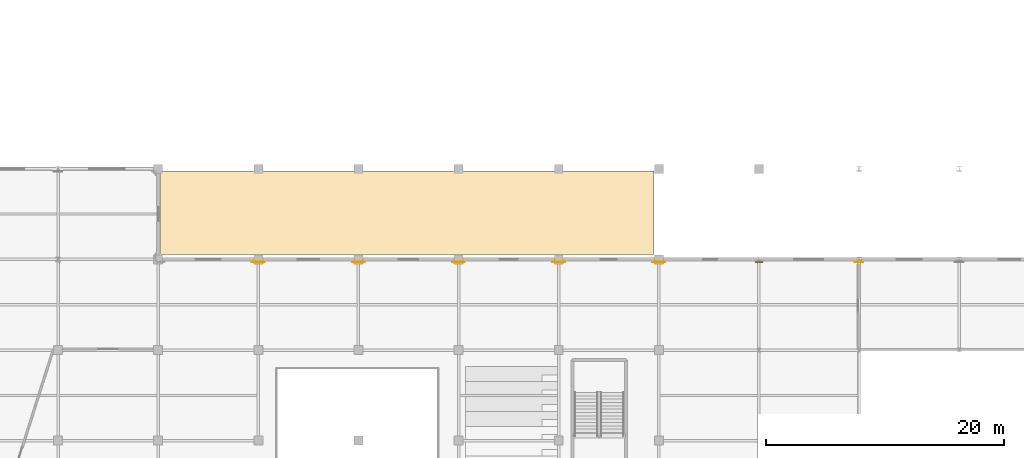
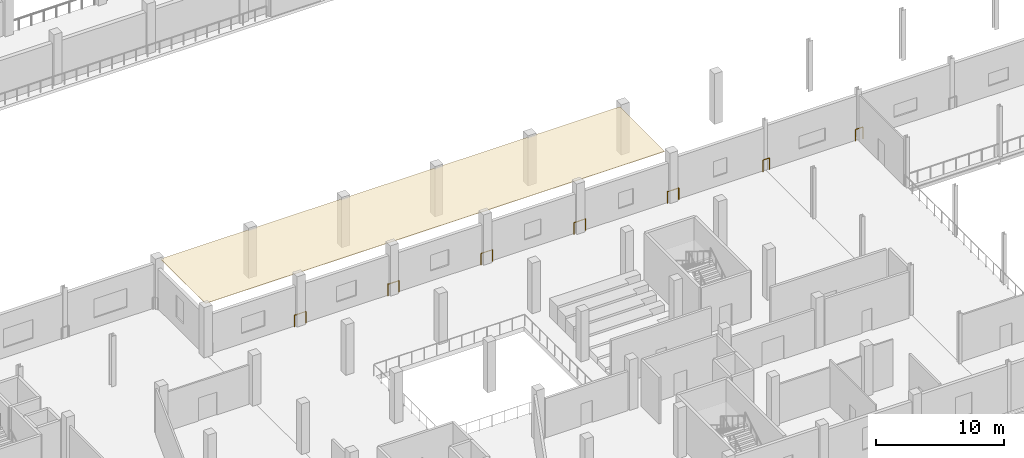
# One storey, part 41 of 51: 7 railings, 1 covering.
"""IFC4 building model written with IfcOpenShell, lengths in metres."""

from ifc_helpers import new_model, si_unit, direction, frame, origin, origin_2d, place, context, subcontext, project, spatial, polyline, circle, outline, extrude, material, layer, layer_set, type_object, element, save


model = new_model("IFC4")

# Units and contexts
model_context = context("Model", 3, precision=1e-05, world=origin(), true_north=direction((0.0, 1.0)))
body_context = subcontext(model_context, "Body", "Model", "MODEL_VIEW")
ifc_project = project(units=[si_unit("LENGTHUNIT", "METRE"), si_unit("AREAUNIT", "SQUARE_METRE"), si_unit("VOLUMEUNIT", "CUBIC_METRE"), si_unit("PLANEANGLEUNIT", "RADIAN"), si_unit("MASSUNIT", "GRAM", prefix="KILO")], contexts=[model_context])

# Site, building, storey
site_placement = place(None, origin())
site = spatial("IfcSite", under=ifc_project, at=site_placement, CompositionType="ELEMENT")
building_placement = place(site_placement, origin())
building = spatial("IfcBuilding", under=site, at=building_placement, Name="Zuvorla Pavilion Media Centre", CompositionType="ELEMENT")
storey_placement = place(building_placement, frame((0.0, 0.0, 4.800048828125)))
storey = spatial("IfcBuildingStorey", under=building, at=storey_placement, Name="L01", CompositionType="ELEMENT", Elevation=4.800048828125)

# Covering
ifc_material_1 = material(Name="Odum Iroko hardwood timber acoustic slats", Category="wood")
ifc_layer = layer(ifc_material_1, 0.0400390625)
ifc_layer_set = layer_set([ifc_layer], Name="Odum Iroko hardwood timber acoustic slats")
covering_type = type_object("IfcCoveringType", Name="COV-SOFFIT-ODUM", PredefinedType="CEILING", material=ifc_layer_set)
covering_placement = place(storey_placement, frame((0.0, 0.0, 4.5)))
element("IfcCovering", 1, at=covering_placement, inside=storey, type_object=covering_type, Name="L01 Odum timber soffit SOF-COURTS", PredefinedType="CEILING", context=body_context, shape_type="SweptSolid", body=[
    extrude(outline(polyline([(67.0, 44.39990234375), (108.39990234375, 44.39990234375), (108.39990234375, 51.39990234375), (67.0, 51.39990234375), (67.0, 44.39990234375)])), origin(), (0.0, 0.0, 1.0), 0.0400390625),
])

# Railings
ifc_material_2 = material(Name="Powder-coated steel balustrade guard", Category="steel")
railing_type = type_object("IfcRailingType", Name="RL-INT-GRD", PredefinedType="BALUSTRADE", material=ifc_material_2)
for number, where, name in (
    (2, (74.68505859375, 43.780029296875, 0.0), "L01 slab edge guard 29"),
    (3, (83.0849609375, 43.780029296875, 0.0), "L01 slab edge guard 30"),
):
    element("IfcRailing", number, at=place(storey_placement, frame(where)), inside=storey, type_object=railing_type, Name=name, PredefinedType="BALUSTRADE", context=body_context, shape_type="SweptSolid", body=[
        extrude(circle(Radius=0.02392578125, at=origin_2d()), frame((0.02880859375, 0.0, 1.09619140625), z_axis=(1.0, 0.0, 0.0), x_axis=(0.0, 1.0, 0.0)), (0.0, 0.0, 1.0), 0.972412109375),
        extrude(circle(Radius=0.02099609375, at=origin_2d()), origin(), (0.0, 0.0, 1.0), 1.070068359375),
        extrude(circle(Radius=0.02099609375, at=origin_2d()), frame((1.030029296875, 0.0, 0.0)), (0.0, 0.0, 1.0), 1.070068359375),
    ])
railing_1_placement = place(storey_placement, frame((91.485107421875, 43.780029296875, 0.0)))
element("IfcRailing", 4, at=railing_1_placement, inside=storey, type_object=railing_type, Name="L01 slab edge guard 31", PredefinedType="BALUSTRADE", context=body_context, shape_type="SweptSolid", body=[
    extrude(circle(Radius=0.02392578125, at=origin_2d()), frame((0.02880859375, 0.0, 1.09619140625), z_axis=(1.0, 0.0, 0.0), x_axis=(0.0, 1.0, 0.0)), (0.0, 0.0, 1.0), 0.97216796875),
    extrude(circle(Radius=0.02099609375, at=origin_2d()), origin(), (0.0, 0.0, 1.0), 1.070068359375),
    extrude(circle(Radius=0.02099609375, at=origin_2d()), frame((1.02978515625, 0.0, 0.0)), (0.0, 0.0, 1.0), 1.070068359375),
])
for number, where, name in (
    (5, (99.885009765625, 43.780029296875, 0.0), "L01 slab edge guard 32"),
    (6, (108.284912109375, 43.780029296875, 0.0), "L01 slab edge guard 33"),
):
    element("IfcRailing", number, at=place(storey_placement, frame(where)), inside=storey, type_object=railing_type, Name=name, PredefinedType="BALUSTRADE", context=body_context, shape_type="SweptSolid", body=[
        extrude(circle(Radius=0.02392578125, at=origin_2d()), frame((0.02880859375, 0.0, 1.09619140625), z_axis=(1.0, 0.0, 0.0), x_axis=(0.0, 1.0, 0.0)), (0.0, 0.0, 1.0), 0.972412109375),
        extrude(circle(Radius=0.02099609375, at=origin_2d()), origin(), (0.0, 0.0, 1.0), 1.070068359375),
        extrude(circle(Radius=0.02099609375, at=origin_2d()), frame((1.030029296875, 0.0, 0.0)), (0.0, 0.0, 1.0), 1.070068359375),
    ])
railing_2_placement = place(storey_placement, frame((116.905517578125, 43.780029296875, 0.0)))
element("IfcRailing", 7, at=railing_2_placement, inside=storey, type_object=railing_type, Name="L01 slab edge guard 34", PredefinedType="BALUSTRADE", context=body_context, shape_type="SweptSolid", body=[
    extrude(circle(Radius=0.02392578125, at=origin_2d()), frame((0.02880859375, 0.0, 1.09619140625), z_axis=(1.0, 0.0, 0.0), x_axis=(0.0, 1.0, 0.0)), (0.0, 0.0, 1.0), 0.531494140625),
    extrude(circle(Radius=0.02099609375, at=origin_2d()), origin(), (0.0, 0.0, 1.0), 1.070068359375),
    extrude(circle(Radius=0.02099609375, at=origin_2d()), frame((0.589111328125, 0.0, 0.0)), (0.0, 0.0, 1.0), 1.070068359375),
])
railing_3_placement = place(storey_placement, frame((125.260498046875, 43.780029296875, 0.0)))
element("IfcRailing", 8, at=railing_3_placement, inside=storey, type_object=railing_type, Name="L01 slab edge guard 35", PredefinedType="BALUSTRADE", context=body_context, shape_type="SweptSolid", body=[
    extrude(circle(Radius=0.02392578125, at=origin_2d()), frame((0.02880859375, 0.0, 1.09619140625), z_axis=(1.0, 0.0, 0.0), x_axis=(0.0, 1.0, 0.0)), (0.0, 0.0, 1.0), 0.621337890625),
    extrude(circle(Radius=0.02099609375, at=origin_2d()), origin(), (0.0, 0.0, 1.0), 1.070068359375),
    extrude(circle(Radius=0.02099609375, at=origin_2d()), frame((0.678955078125, 0.0, 0.0)), (0.0, 0.0, 1.0), 1.070068359375),
])

save(model, "model.ifc")
